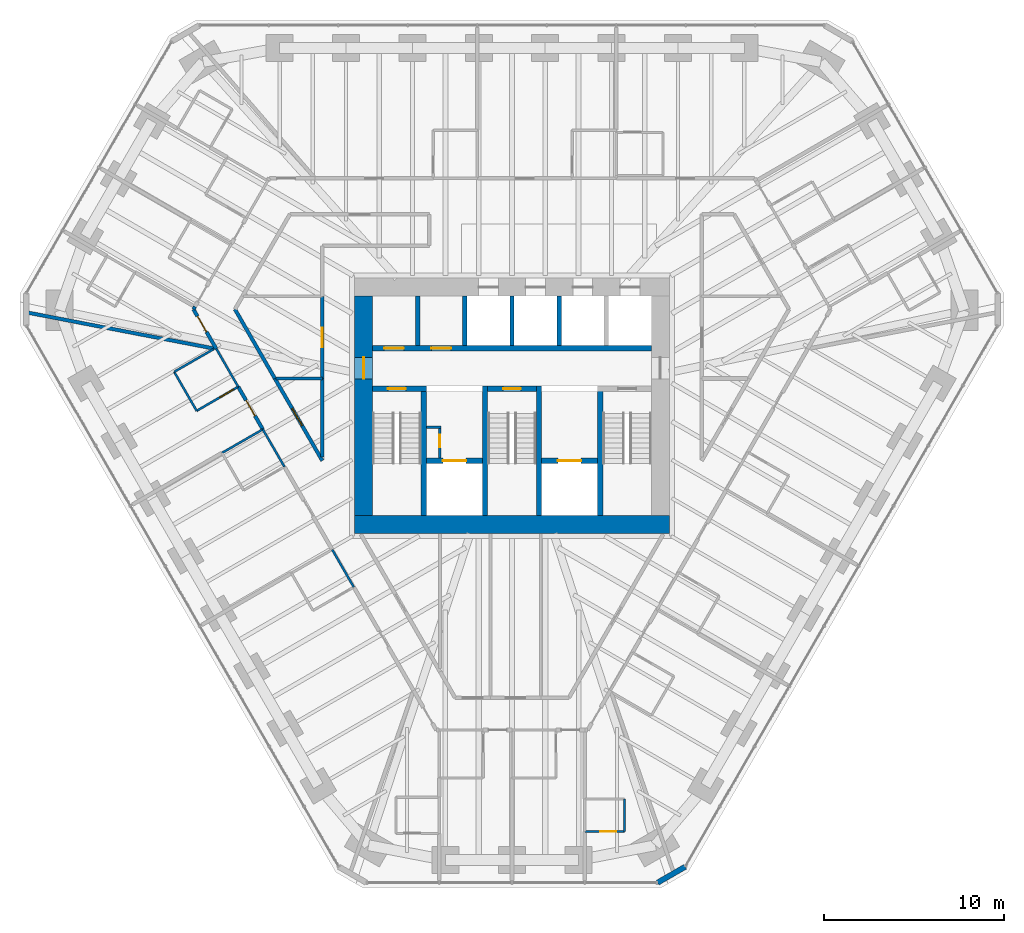
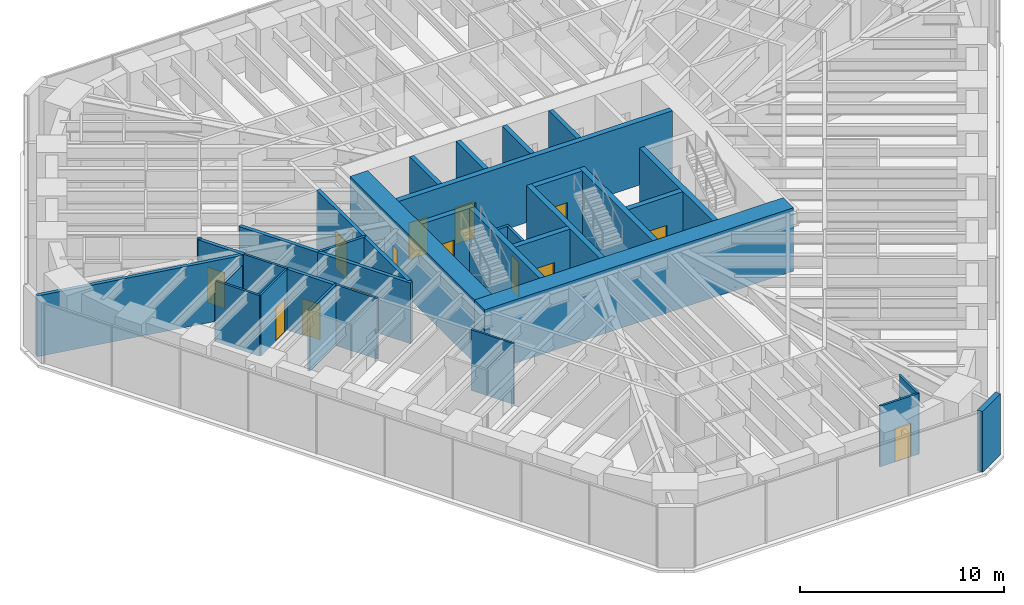
# One storey, part 12 of 17: 36 walls, 14 doors, 14 openings.
"""IFC4 building model written with IfcOpenShell, lengths in metres."""

from ifc_helpers import new_model, si_unit, direction, frame, frame_2d, origin, place, context, subcontext, project, spatial, rectangle, extrude, material, layer, layer_set, type_object, element, fill, save


model = new_model("IFC4")

# Units and contexts
model_context = context("Model", 3, precision=1e-05, world=origin(), true_north=direction((0.0, 1.0)))
body_context = subcontext(model_context, "Body", "Model", "MODEL_VIEW")
ifc_project = project(units=[si_unit("LENGTHUNIT", "METRE"), si_unit("AREAUNIT", "SQUARE_METRE"), si_unit("VOLUMEUNIT", "CUBIC_METRE"), si_unit("PLANEANGLEUNIT", "RADIAN"), si_unit("MASSUNIT", "GRAM", prefix="KILO")], contexts=[model_context])

# Site, building, storey
site_placement = place(None, origin())
site = spatial("IfcSite", under=ifc_project, at=site_placement, CompositionType="ELEMENT")
building_placement = place(site_placement, origin())
building = spatial("IfcBuilding", under=site, at=building_placement, Name="Sandreach Pilgrim Tower", CompositionType="ELEMENT")
storey_placement = place(building_placement, frame((0.0, 0.0, 198.39990234375)))
storey = spatial("IfcBuildingStorey", under=building, at=storey_placement, Name="L49", CompositionType="ELEMENT", Elevation=198.39990234375)

# Walls
ifc_material_1 = material(Name="Gypsum board on steel studs", Category="steel")
ifc_layer_1 = layer(ifc_material_1, 0.14990234375)
ifc_layer_set_1 = layer_set([ifc_layer_1], Name="Back of house wall 150")
wall_type_1 = type_object("IfcWallType", Name="Back of house wall 150", PredefinedType="PARTITIONING", material=ifc_layer_set_1)
wall_1_placement = place(storey_placement, frame((-10.550048828125, 1.52001953125, 0.0), z_axis=(0.0, 0.0, 1.0), x_axis=(-1.0, 0.0, 0.0)))
element("IfcWall", 1, at=wall_1_placement, inside=storey, type_object=wall_type_1, Name="Back of house wall L49-051", PredefinedType="PARTITIONING", context=body_context, shape_type="SweptSolid", body=[
    extrude(rectangle(XDim=2.5849609375, YDim=0.14990234375, at=frame_2d((1.29248046875, 0.0))), origin(), (0.0, 0.0, 1.0), 3.64013671875),
])
ifc_material_2 = material(Name="Moisture-resistant gypsum board on steel studs", Category="steel")
ifc_layer_2 = layer(ifc_material_2, 0.1201171875)
ifc_layer_set_2 = layer_set([ifc_layer_2], Name="Bathroom partition 120")
wall_type_2 = type_object("IfcWallType", Name="Bathroom partition 120", PredefinedType="PARTITIONING", material=ifc_layer_set_2)
wall_2_placement = place(storey_placement, frame((-18.7900390625, 1.889892578125, 0.0), z_axis=(0.0, 0.0, 1.0), x_axis=(0.499159685399, -0.866510016372, 0.0)))
element("IfcWall", 2, at=wall_2_placement, inside=storey, type_object=wall_type_2, Name="Bathroom partition L49-012", PredefinedType="PARTITIONING", context=body_context, shape_type="SweptSolid", body=[
    extrude(rectangle(XDim=2.504150390625, YDim=0.1201171875, at=frame_2d((1.251953125, 0.0))), origin(), (0.0, 0.0, 1.0), 3.64013671875),
])

# Wall, opening, door
wall_3_placement = place(storey_placement, frame((-17.5400390625, -0.280029296875, 0.0), z_axis=(0.0, 0.0, 1.0), x_axis=(0.86498992408, 0.501789229896, 0.0)))
wall_3 = element("IfcWall", 3, at=wall_3_placement, inside=storey, type_object=wall_type_2, Name="Bathroom partition L49-019", PredefinedType="PARTITIONING", context=body_context, shape_type="SweptSolid", body=[
    extrude(rectangle(XDim=2.670654296875, YDim=0.1201171875, at=frame_2d((1.33544921875, 0.0))), origin(), (0.0, 0.0, 1.0), 3.64013671875),
])
opening_1_placement = place(wall_3_placement, frame((1.470458984375, 0.0, 0.0)))
opening_1 = element("IfcOpeningElement", 4, at=opening_1_placement, cuts=wall_3, Name="Opening D09-16B", PredefinedType="OPENING", context=body_context, shape_type="SweptSolid", body=[
    extrude(rectangle(XDim=0.89990234375, YDim=2.030029296875, at=frame_2d((0.449951171875, 1.01513671875))), frame((0.0, 0.06005859375, 0.0), z_axis=(0.0, -1.0, 0.0), x_axis=(1.0, 0.0, 0.0)), (0.0, 0.0, 1.0), 0.1201171875),
])
ifc_material_3 = material(Name="Timber door, steel frame", Category="steel")
door_type_1 = type_object("IfcDoorType", Name="Bathroom door", OperationType="SINGLE_SWING_LEFT", PredefinedType="DOOR", material=ifc_material_3)
door_1_placement = place(opening_1_placement, origin())
door_1 = element("IfcDoor", 5, at=door_1_placement, inside=storey, type_object=door_type_1, Name="Door 4916B", OperationType="SINGLE_SWING_RIGHT", OverallHeight=2.030029296875, OverallWidth=0.89990234375, PredefinedType="DOOR", context=body_context, shape_type="SweptSolid", body=[
    extrude(rectangle(XDim=0.89990234375, YDim=2.030029296875, at=frame_2d((0.449951171875, 1.01513671875))), frame((0.0, 0.02490234375, 0.0), z_axis=(0.0, -1.0, 0.0), x_axis=(1.0, 0.0, 0.0)), (0.0, 0.0, 1.0), 0.050048828125),
])
fill(opening_1, door_1)

# Walls
wall_4_placement = place(storey_placement, frame((-16.623779296875, 3.1376953125, 0.0), z_axis=(0.0, 0.0, 1.0), x_axis=(-0.866525185869, -0.499133351175, 0.0)))
element("IfcWall", 6, at=wall_4_placement, inside=storey, type_object=wall_type_2, Name="Bathroom partition L49-026", PredefinedType="PARTITIONING", context=body_context, shape_type="SweptSolid", body=[
    extrude(rectangle(XDim=2.5, YDim=0.1201171875, at=frame_2d((1.25, 0.0))), origin(), (0.0, 0.0, 1.0), 3.0380859375),
])
wall_5_placement = place(storey_placement, frame((-16.44677734375, 3.171875, 0.0), z_axis=(0.0, 0.0, 1.0), x_axis=(0.499242543719, -0.86646227993, 0.0)))
element("IfcWall", 7, at=wall_5_placement, inside=storey, type_object=wall_type_2, Name="Bathroom partition L49-027", PredefinedType="PARTITIONING", context=body_context, shape_type="SweptSolid", body=[
    extrude(rectangle(XDim=2.437255859375, YDim=0.1201171875, at=frame_2d((1.21875, 0.0))), origin(), (0.0, 0.0, 1.0), 3.64013671875),
])
wall_6_placement = place(storey_placement, frame((-16.1298828125, -2.6201171875, 0.0), z_axis=(0.0, 0.0, 1.0), x_axis=(0.866114241029, 0.499846097802, 0.0)))
element("IfcWall", 8, at=wall_6_placement, inside=storey, type_object=wall_type_2, Name="Bathroom partition L49-029", PredefinedType="PARTITIONING", context=body_context, shape_type="SweptSolid", body=[
    extrude(rectangle(XDim=2.620849609375, YDim=0.1201171875, at=frame_2d((1.310546875, 0.0))), origin(), (0.0, 0.0, 1.0), 3.64013671875),
])
for number, where, z_axis, x_axis, name in (
    (9, (-13.860107421875, -1.31005859375, 0.0), (0.0, 0.0, 1.0), (0.499813401482, -0.866133109688, 0.0), "Bathroom partition L49-040"),
    (10, (-10.0, -8.0, 0.0), (0.0, 0.0, 1.0), (0.498862637731, -0.866681065142, 0.0), "Bathroom partition L49-055"),
):
    element("IfcWall", number, at=place(storey_placement, frame(where, z_axis=z_axis, x_axis=x_axis)), inside=storey, type_object=wall_type_2, Name=name, PredefinedType="PARTITIONING", context=body_context, shape_type="SweptSolid", body=[
        extrude(rectangle(XDim=2.4013671875, YDim=0.1201171875, at=frame_2d((1.20068359375, 0.0))), origin(), (0.0, 0.0, 1.0), 3.64013671875),
    ])

# Wall, opening, door
wall_7_placement = place(storey_placement, frame((4.050048828125, -23.679931640625, 0.0), z_axis=(0.0, 0.0, 1.0), x_axis=(1.0, 0.0, 0.0)))
wall_7 = element("IfcWall", 11, at=wall_7_placement, inside=storey, type_object=wall_type_2, Name="Bathroom partition L49-097", PredefinedType="PARTITIONING", context=body_context, shape_type="SweptSolid", body=[
    extrude(rectangle(XDim=2.199951171875, YDim=0.1201171875, at=frame_2d((1.10009765625, 0.0))), origin(), (0.0, 0.0, 1.0), 3.64013671875),
])
opening_2_placement = place(wall_7_placement, frame((0.85009765625, 0.0, 0.0)))
opening_2 = element("IfcOpeningElement", 12, at=opening_2_placement, cuts=wall_7, Name="Opening D09-10B", PredefinedType="OPENING", context=body_context, shape_type="SweptSolid", body=[
    extrude(rectangle(XDim=0.89990234375, YDim=2.030029296875, at=frame_2d((0.449951171875, 1.01513671875))), frame((0.0, 0.06005859375, 0.0), z_axis=(0.0, -1.0, 0.0), x_axis=(1.0, 0.0, 0.0)), (0.0, 0.0, 1.0), 0.1201171875),
])
door_2_placement = place(opening_2_placement, origin())
door_2 = element("IfcDoor", 13, at=door_2_placement, inside=storey, type_object=door_type_1, Name="Door 4910B", OperationType="SINGLE_SWING_RIGHT", OverallHeight=2.030029296875, OverallWidth=0.89990234375, PredefinedType="DOOR", context=body_context, shape_type="SweptSolid", body=[
    extrude(rectangle(XDim=0.89990234375, YDim=2.030029296875, at=frame_2d((0.449951171875, 1.01513671875))), frame((0.0, 0.02490234375, 0.0), z_axis=(0.0, -1.0, 0.0), x_axis=(1.0, 0.0, 0.0)), (0.0, 0.0, 1.0), 0.050048828125),
])
fill(opening_2, door_2)

# Walls
wall_8_placement = place(storey_placement, frame((6.25, -23.679931640625, 0.0), z_axis=(0.0, 0.0, 1.0), x_axis=(0.0, 1.0, 0.0)))
element("IfcWall", 14, at=wall_8_placement, inside=storey, type_object=wall_type_2, Name="Bathroom partition L49-110", PredefinedType="PARTITIONING", context=body_context, shape_type="SweptSolid", body=[
    extrude(rectangle(XDim=1.809814453125, YDim=0.1201171875, at=frame_2d((0.90478515625, 0.0))), origin(), (0.0, 0.0, 1.0), 3.64013671875),
])
ifc_material_4 = material(Name="Concrete 10000 psi", Category="concrete")
ifc_layer_3 = layer(ifc_material_4, 0.300048828125)
ifc_layer_set_3 = layer_set([ifc_layer_3], Name="Core inner wall 300")
wall_type_3 = type_object("IfcWallType", Name="Core inner wall 300", PredefinedType="SHEAR", material=ifc_layer_set_3)
for number, where, z_axis, x_axis, name in (
    (15, (-4.89990234375, -6.10009765625, 0.0), (0.0, 0.0, 1.0), (0.0, 1.0, 0.0), "Core wall I0 L49"),
    (16, (-1.5, -6.10009765625, 0.0), (0.0, 0.0, 1.0), (0.0, 1.0, 0.0), "Core wall I1 L49"),
    (17, (1.5, -6.10009765625, 0.0), (0.0, 0.0, 1.0), (0.0, 1.0, 0.0), "Core wall I2 L49"),
    (18, (4.89990234375, -6.10009765625, 0.0), (0.0, 0.0, 1.0), (0.0, 1.0, 0.0), "Core wall I3 L49"),
):
    element("IfcWall", number, at=place(storey_placement, frame(where, z_axis=z_axis, x_axis=x_axis)), inside=storey, type_object=wall_type_3, Name=name, PredefinedType="SHEAR", context=body_context, shape_type="SweptSolid", body=[
        extrude(rectangle(XDim=7.2001953125, YDim=0.300048828125, at=frame_2d((3.60009765625, 0.0))), origin(), (0.0, 0.0, 1.0), 3.800048828125),
    ])

# Wall, opening, door
wall_9_placement = place(storey_placement, frame((-7.75, 0.949951171875, 0.0), z_axis=(0.0, 0.0, 1.0), x_axis=(1.0, 0.0, 0.0)))
wall_9 = element("IfcWall", 19, at=wall_9_placement, inside=storey, type_object=wall_type_3, Name="Core wall SN1 L49", PredefinedType="SHEAR", context=body_context, shape_type="SweptSolid", body=[
    extrude(rectangle(XDim=3.0, YDim=0.300048828125, at=frame_2d((1.5, 0.0))), origin(), (0.0, 0.0, 1.0), 3.800048828125),
])
opening_3_placement = place(wall_9_placement, frame((0.85009765625, 0.0, 0.0)))
opening_3 = element("IfcOpeningElement", 20, at=opening_3_placement, cuts=wall_9, Name="Opening D10S-ST1", PredefinedType="OPENING", context=body_context, shape_type="SweptSolid", body=[
    extrude(rectangle(XDim=1.0, YDim=2.199951171875, at=frame_2d((0.5, 1.10009765625))), frame((0.0, 0.14990234375, 0.0), z_axis=(0.0, -1.0, 0.0), x_axis=(1.0, 0.0, 0.0)), (0.0, 0.0, 1.0), 0.300048828125),
])
ifc_material_5 = material(Name="Steel door and frame", Category="steel")
door_type_2 = type_object("IfcDoorType", Name="Stair door", OperationType="SINGLE_SWING_LEFT", PredefinedType="DOOR", material=ifc_material_5)
door_3_placement = place(opening_3_placement, origin())
door_3 = element("IfcDoor", 21, at=door_3_placement, inside=storey, type_object=door_type_2, Name="Stair door ST1 L49", OperationType="SINGLE_SWING_LEFT", OverallHeight=2.199951171875, OverallWidth=1.0, PredefinedType="DOOR", context=body_context, shape_type="SweptSolid", body=[
    extrude(rectangle(XDim=1.0, YDim=2.199951171875, at=frame_2d((0.5, 1.10009765625))), frame((0.0, 0.02490234375, 0.0), z_axis=(0.0, -1.0, 0.0), x_axis=(1.0, 0.0, 0.0)), (0.0, 0.0, 1.0), 0.050048828125),
])
fill(opening_3, door_3)

wall_10_placement = place(storey_placement, frame((-1.35009765625, 0.949951171875, 0.0), z_axis=(0.0, 0.0, 1.0), x_axis=(1.0, 0.0, 0.0)))
wall_10 = element("IfcWall", 22, at=wall_10_placement, inside=storey, type_object=wall_type_3, Name="Core wall SN3 L49", PredefinedType="SHEAR", context=body_context, shape_type="SweptSolid", body=[
    extrude(rectangle(XDim=2.7001953125, YDim=0.300048828125, at=frame_2d((1.35009765625, 0.0))), origin(), (0.0, 0.0, 1.0), 3.800048828125),
])
opening_4_placement = place(wall_10_placement, frame((0.85009765625, 0.0, 0.0)))
opening_4 = element("IfcOpeningElement", 23, at=opening_4_placement, cuts=wall_10, Name="Opening D10S-ST3", PredefinedType="OPENING", context=body_context, shape_type="SweptSolid", body=[
    extrude(rectangle(XDim=1.0, YDim=2.199951171875, at=frame_2d((0.5, 1.10009765625))), frame((0.0, 0.14990234375, 0.0), z_axis=(0.0, -1.0, 0.0), x_axis=(1.0, 0.0, 0.0)), (0.0, 0.0, 1.0), 0.300048828125),
])
door_4_placement = place(opening_4_placement, origin())
door_4 = element("IfcDoor", 24, at=door_4_placement, inside=storey, type_object=door_type_2, Name="Stair door ST3 L49", OperationType="SINGLE_SWING_LEFT", OverallHeight=2.199951171875, OverallWidth=1.0, PredefinedType="DOOR", context=body_context, shape_type="SweptSolid", body=[
    extrude(rectangle(XDim=1.0, YDim=2.199951171875, at=frame_2d((0.5, 1.10009765625))), frame((0.0, 0.02490234375, 0.0), z_axis=(0.0, -1.0, 0.0), x_axis=(1.0, 0.0, 0.0)), (0.0, 0.0, 1.0), 0.050048828125),
])
fill(opening_4, door_4)

wall_11_placement = place(storey_placement, frame((-4.75, -3.050048828125, 0.0), z_axis=(0.0, 0.0, 1.0), x_axis=(1.0, 0.0, 0.0)))
wall_11 = element("IfcWall", 25, at=wall_11_placement, inside=storey, type_object=wall_type_3, Name="Core wall FL1 L49", PredefinedType="SHEAR", context=body_context, shape_type="SweptSolid", body=[
    extrude(rectangle(XDim=3.10009765625, YDim=0.300048828125, at=frame_2d((1.550048828125, 0.0))), origin(), (0.0, 0.0, 1.0), 3.800048828125),
])
opening_5_placement = place(wall_11_placement, frame((0.89990234375, 0.0, 0.0)))
opening_5 = element("IfcOpeningElement", 26, at=opening_5_placement, cuts=wall_11, Name="Opening LD13", PredefinedType="OPENING", context=body_context, shape_type="SweptSolid", body=[
    extrude(rectangle(XDim=1.300048828125, YDim=2.10009765625, at=frame_2d((0.64990234375, 1.050048828125))), frame((0.0, 0.14990234375, 0.0), z_axis=(0.0, -1.0, 0.0), x_axis=(1.0, 0.0, 0.0)), (0.0, 0.0, 1.0), 0.300048828125),
])
ifc_material_6 = material(Name="Steel door and frame", Category="steel")
door_type_3 = type_object("IfcDoorType", Name="Fire service lift landing door", OperationType="DOUBLE_DOOR_SLIDING", PredefinedType="DOOR", material=ifc_material_6)
door_5_placement = place(opening_5_placement, origin())
door_5 = element("IfcDoor", 27, at=door_5_placement, inside=storey, type_object=door_type_3, Name="Lift landing door FS1 L49", OperationType="DOUBLE_DOOR_SLIDING", OverallHeight=2.10009765625, OverallWidth=1.300048828125, PredefinedType="DOOR", context=body_context, shape_type="SweptSolid", body=[
    extrude(rectangle(XDim=1.300048828125, YDim=2.10009765625, at=frame_2d((0.64990234375, 1.050048828125))), frame((0.0, 0.02490234375, 0.0), z_axis=(0.0, -1.0, 0.0), x_axis=(1.0, 0.0, 0.0)), (0.0, 0.0, 1.0), 0.050048828125),
])
fill(opening_5, door_5)

wall_12_placement = place(storey_placement, frame((1.64990234375, -3.050048828125, 0.0), z_axis=(0.0, 0.0, 1.0), x_axis=(1.0, 0.0, 0.0)))
wall_12 = element("IfcWall", 28, at=wall_12_placement, inside=storey, type_object=wall_type_3, Name="Core wall FL2 L49", PredefinedType="SHEAR", context=body_context, shape_type="SweptSolid", body=[
    extrude(rectangle(XDim=3.10009765625, YDim=0.300048828125, at=frame_2d((1.550048828125, 0.0))), origin(), (0.0, 0.0, 1.0), 3.800048828125),
])
opening_6_placement = place(wall_12_placement, frame((0.89990234375, 0.0, 0.0)))
opening_6 = element("IfcOpeningElement", 29, at=opening_6_placement, cuts=wall_12, Name="Opening LD13", PredefinedType="OPENING", context=body_context, shape_type="SweptSolid", body=[
    extrude(rectangle(XDim=1.300048828125, YDim=2.10009765625, at=frame_2d((0.64990234375, 1.050048828125))), frame((0.0, 0.14990234375, 0.0), z_axis=(0.0, -1.0, 0.0), x_axis=(1.0, 0.0, 0.0)), (0.0, 0.0, 1.0), 0.300048828125),
])
door_6_placement = place(opening_6_placement, origin())
door_6 = element("IfcDoor", 30, at=door_6_placement, inside=storey, type_object=door_type_3, Name="Lift landing door FS2 L49", OperationType="DOUBLE_DOOR_SLIDING", OverallHeight=2.10009765625, OverallWidth=1.300048828125, PredefinedType="DOOR", context=body_context, shape_type="SweptSolid", body=[
    extrude(rectangle(XDim=1.300048828125, YDim=2.10009765625, at=frame_2d((0.64990234375, 1.050048828125))), frame((0.0, 0.02490234375, 0.0), z_axis=(0.0, -1.0, 0.0), x_axis=(1.0, 0.0, 0.0)), (0.0, 0.0, 1.0), 0.050048828125),
])
fill(opening_6, door_6)

# Wall, openings, doors
wall_13_placement = place(storey_placement, frame((-7.75, 3.199951171875, 0.0), z_axis=(0.0, 0.0, 1.0), x_axis=(1.0, 0.0, 0.0)))
wall_13 = element("IfcWall", 31, at=wall_13_placement, inside=storey, type_object=wall_type_3, Name="Core wall PN L49", PredefinedType="SHEAR", context=body_context, shape_type="SweptSolid", body=[
    extrude(rectangle(XDim=15.5, YDim=0.300048828125, at=frame_2d((7.75, 0.0))), origin(), (0.0, 0.0, 1.0), 3.800048828125),
])
opening_7_placement = place(wall_13_placement, frame((0.637451171875, 0.0, 0.0)))
opening_7 = element("IfcOpeningElement", 32, at=opening_7_placement, cuts=wall_13, Name="Opening D11L", PredefinedType="OPENING", context=body_context, shape_type="SweptSolid", body=[
    extrude(rectangle(XDim=1.10009765625, YDim=2.199951171875, at=frame_2d((0.550048828125, 1.10009765625))), frame((0.0, 0.14990234375, 0.0), z_axis=(0.0, -1.0, 0.0), x_axis=(1.0, 0.0, 0.0)), (0.0, 0.0, 1.0), 0.300048828125),
])
opening_8_placement = place(wall_13_placement, frame((3.262451171875, 0.0, 0.0)))
opening_8 = element("IfcOpeningElement", 33, at=opening_8_placement, cuts=wall_13, Name="Opening D11L", PredefinedType="OPENING", context=body_context, shape_type="SweptSolid", body=[
    extrude(rectangle(XDim=1.10009765625, YDim=2.199951171875, at=frame_2d((0.550048828125, 1.10009765625))), frame((0.0, 0.14990234375, 0.0), z_axis=(0.0, -1.0, 0.0), x_axis=(1.0, 0.0, 0.0)), (0.0, 0.0, 1.0), 0.300048828125),
])
ifc_material_7 = material(Name="Steel door and frame, smoke seals", Category="steel")
door_type_4 = type_object("IfcDoorType", Name="Core room door", OperationType="SINGLE_SWING_LEFT", PredefinedType="DOOR", material=ifc_material_7)
door_7_placement = place(opening_7_placement, origin())
door_7 = element("IfcDoor", 34, at=door_7_placement, inside=storey, type_object=door_type_4, Name="Door guest pantry 49K1", OperationType="SINGLE_SWING_LEFT", OverallHeight=2.199951171875, OverallWidth=1.10009765625, PredefinedType="DOOR", context=body_context, shape_type="SweptSolid", body=[
    extrude(rectangle(XDim=1.10009765625, YDim=2.199951171875, at=frame_2d((0.550048828125, 1.10009765625))), frame((0.0, 0.02490234375, 0.0), z_axis=(0.0, -1.0, 0.0), x_axis=(1.0, 0.0, 0.0)), (0.0, 0.0, 1.0), 0.050048828125),
])
fill(opening_7, door_7)
door_8_placement = place(opening_8_placement, origin())
door_8 = element("IfcDoor", 35, at=door_8_placement, inside=storey, type_object=door_type_4, Name="Door it room 49K2", OperationType="SINGLE_SWING_LEFT", OverallHeight=2.199951171875, OverallWidth=1.10009765625, PredefinedType="DOOR", context=body_context, shape_type="SweptSolid", body=[
    extrude(rectangle(XDim=1.10009765625, YDim=2.199951171875, at=frame_2d((0.550048828125, 1.10009765625))), frame((0.0, 0.02490234375, 0.0), z_axis=(0.0, -1.0, 0.0), x_axis=(1.0, 0.0, 0.0)), (0.0, 0.0, 1.0), 0.050048828125),
])
fill(opening_8, door_8)

# Wall
ifc_material_8 = material(Name="Concrete 10000 psi", Category="concrete")
ifc_layer_4 = layer(ifc_material_8, 1.0)
ifc_layer_set_4 = layer_set([ifc_layer_4], Name="Core wall 1000")
wall_type_4 = type_object("IfcWallType", Name="Core wall 1000", PredefinedType="SHEAR", material=ifc_layer_set_4)
wall_14_placement = place(storey_placement, frame((-8.75, -6.60009765625, 0.0), z_axis=(0.0, 0.0, 1.0), x_axis=(1.0, 0.0, 0.0)))
element("IfcWall", 36, at=wall_14_placement, inside=storey, type_object=wall_type_4, Name="Core wall S L49", PredefinedType="SHEAR", context=body_context, shape_type="SweptSolid", body=[
    extrude(rectangle(XDim=17.5, YDim=1.0, at=frame_2d((8.75, 0.0))), origin(), (0.0, 0.0, 1.0), 3.800048828125),
])

# Wall, opening, door
wall_15_placement = place(storey_placement, frame((-8.25, -6.10009765625, 0.0), z_axis=(0.0, 0.0, 1.0), x_axis=(0.0, 1.0, 0.0)))
wall_15 = element("IfcWall", 37, at=wall_15_placement, inside=storey, type_object=wall_type_4, Name="Core wall W L49", PredefinedType="SHEAR", context=body_context, shape_type="SweptSolid", body=[
    extrude(rectangle(XDim=12.2001953125, YDim=1.0, at=frame_2d((6.10009765625, 0.0))), origin(), (0.0, 0.0, 1.0), 3.800048828125),
])
opening_9_placement = place(wall_15_placement, frame((7.60009765625, 0.0, 0.0)))
opening_9 = element("IfcOpeningElement", 38, at=opening_9_placement, cuts=wall_15, Name="Opening D12F-W", PredefinedType="OPENING", context=body_context, shape_type="SweptSolid", body=[
    extrude(rectangle(XDim=1.199951171875, YDim=2.199951171875, at=frame_2d((0.60009765625, 1.10009765625))), frame((0.0, 0.5, 0.0), z_axis=(0.0, -1.0, 0.0), x_axis=(1.0, 0.0, 0.0)), (0.0, 0.0, 1.0), 1.0),
])
ifc_material_9 = material(Name="Steel door and frame", Category="steel")
door_type_5 = type_object("IfcDoorType", Name="Fire lobby door", OperationType="SINGLE_SWING_LEFT", PredefinedType="DOOR", material=ifc_material_9)
door_9_placement = place(opening_9_placement, origin())
door_9 = element("IfcDoor", 39, at=door_9_placement, inside=storey, type_object=door_type_5, Name="Fire service lobby door W L49", OperationType="SINGLE_SWING_RIGHT", OverallHeight=2.199951171875, OverallWidth=1.199951171875, PredefinedType="DOOR", context=body_context, shape_type="SweptSolid", body=[
    extrude(rectangle(XDim=1.199951171875, YDim=2.199951171875, at=frame_2d((0.60009765625, 1.10009765625))), frame((0.0, 0.02490234375, 0.0), z_axis=(0.0, -1.0, 0.0), x_axis=(1.0, 0.0, 0.0)), (0.0, 0.0, 1.0), 0.050048828125),
])
fill(opening_9, door_9)

ifc_material_10 = material(Name="Gypsum board on steel studs, two layers each side", Category="steel")
ifc_layer_5 = layer(ifc_material_10, 0.199951171875)
ifc_layer_set_5 = layer_set([ifc_layer_5], Name="Corridor wall 200")
wall_type_5 = type_object("IfcWallType", Name="Corridor wall 200", PredefinedType="PARTITIONING", material=ifc_layer_set_5)
wall_16_placement = place(storey_placement, frame((-17.719970703125, 5.3701171875, 0.0), z_axis=(0.0, 0.0, 1.0), x_axis=(0.499922110319, -0.866070368743, 0.0)))
wall_16 = element("IfcWall", 40, at=wall_16_placement, inside=storey, type_object=wall_type_5, Name="Corridor wall L49-016", PredefinedType="PARTITIONING", context=body_context, shape_type="SweptSolid", body=[
    extrude(rectangle(XDim=2.54052734375, YDim=0.199951171875, at=frame_2d((1.270263671875, 0.0))), origin(), (0.0, 0.0, 1.0), 3.64013671875),
])
opening_10_placement = place(wall_16_placement, frame((0.449951171875, 0.0, 0.0)))
opening_10 = element("IfcOpeningElement", 41, at=opening_10_placement, cuts=wall_16, Name="Opening D10-17", PredefinedType="OPENING", context=body_context, shape_type="SweptSolid", body=[
    extrude(rectangle(XDim=1.0, YDim=2.1298828125, at=frame_2d((0.5, 1.06494140625))), frame((0.0, 0.10009765625, 0.0), z_axis=(0.0, -1.0, 0.0), x_axis=(1.0, 0.0, 0.0)), (0.0, 0.0, 1.0), 0.199951171875),
])
ifc_material_11 = material(Name="Steel door and frame", Category="steel")
door_type_6 = type_object("IfcDoorType", Name="Guest room entry door", OperationType="SINGLE_SWING_LEFT", PredefinedType="DOOR", material=ifc_material_11)
door_10_placement = place(opening_10_placement, origin())
door_10 = element("IfcDoor", 42, at=door_10_placement, inside=storey, type_object=door_type_6, Name="Door 4917", OperationType="SINGLE_SWING_LEFT", OverallHeight=2.1298828125, OverallWidth=1.0, PredefinedType="DOOR", context=body_context, shape_type="SweptSolid", body=[
    extrude(rectangle(XDim=1.0, YDim=2.1298828125, at=frame_2d((0.5, 1.06494140625))), frame((0.0, 0.02490234375, 0.0), z_axis=(0.0, -1.0, 0.0), x_axis=(1.0, 0.0, 0.0)), (0.0, 0.0, 1.0), 0.050048828125),
])
fill(opening_10, door_10)

# Wall
wall_17_placement = place(storey_placement, frame((-17.6298828125, 5.510009765625, 0.0), z_axis=(0.0, 0.0, 1.0), x_axis=(-0.541424846284, -0.840749151547, 0.0)))
element("IfcWall", 43, at=wall_17_placement, inside=storey, type_object=wall_type_5, Name="Corridor wall L49-018", PredefinedType="PARTITIONING", context=body_context, shape_type="SweptSolid", body=[
    extrude(rectangle(XDim=0.16650390625, YDim=0.199951171875, at=frame_2d((0.083251953125, 0.0))), origin(), (0.0, 0.0, 1.0), 3.64013671875),
])

# Wall, opening, door
wall_18_placement = place(storey_placement, frame((-15.22998046875, 1.06005859375, 0.0), z_axis=(0.0, 0.0, 1.0), x_axis=(0.500406860043, -0.865790375565, 0.0)))
wall_18 = element("IfcWall", 44, at=wall_18_placement, inside=storey, type_object=wall_type_5, Name="Corridor wall L49-035", PredefinedType="PARTITIONING", context=body_context, shape_type="SweptSolid", body=[
    extrude(rectangle(XDim=2.737548828125, YDim=0.199951171875, at=frame_2d((1.36865234375, 0.0))), origin(), (0.0, 0.0, 1.0), 3.64013671875),
])
opening_11_placement = place(wall_18_placement, frame((0.86865234375, 0.0, 0.0)))
opening_11 = element("IfcOpeningElement", 45, at=opening_11_placement, cuts=wall_18, Name="Opening D10-16", PredefinedType="OPENING", context=body_context, shape_type="SweptSolid", body=[
    extrude(rectangle(XDim=1.0, YDim=2.1298828125, at=frame_2d((0.5, 1.06494140625))), frame((0.0, 0.10009765625, 0.0), z_axis=(0.0, -1.0, 0.0), x_axis=(1.0, 0.0, 0.0)), (0.0, 0.0, 1.0), 0.199951171875),
])
door_11_placement = place(opening_11_placement, origin())
door_11 = element("IfcDoor", 46, at=door_11_placement, inside=storey, type_object=door_type_6, Name="Door 4916", OperationType="SINGLE_SWING_LEFT", OverallHeight=2.1298828125, OverallWidth=1.0, PredefinedType="DOOR", context=body_context, shape_type="SweptSolid", body=[
    extrude(rectangle(XDim=1.0, YDim=2.1298828125, at=frame_2d((0.5, 1.06494140625))), frame((0.0, 0.02490234375, 0.0), z_axis=(0.0, -1.0, 0.0), x_axis=(1.0, 0.0, 0.0)), (0.0, 0.0, 1.0), 0.050048828125),
])
fill(opening_11, door_11)

# Wall
wall_19_placement = place(storey_placement, frame((-13.18994140625, 1.52001953125, 0.0), z_axis=(0.0, 0.0, 1.0), x_axis=(-0.499513190454, 0.866306281036, 0.0)))
element("IfcWall", 47, at=wall_19_placement, inside=storey, type_object=wall_type_5, Name="Corridor wall L49-042", PredefinedType="PARTITIONING", context=body_context, shape_type="SweptSolid", body=[
    extrude(rectangle(XDim=4.4443359375, YDim=0.199951171875, at=frame_2d((2.22216796875, 0.0))), origin(), (0.0, 0.0, 1.0), 3.64013671875),
])

# Wall, opening, door
wall_20_placement = place(storey_placement, frame((-10.550048828125, -3.050048828125, 0.0), z_axis=(0.0, 0.0, 1.0), x_axis=(-0.500193590286, 0.865913605527, 0.0)))
wall_20 = element("IfcWall", 48, at=wall_20_placement, inside=storey, type_object=wall_type_5, Name="Corridor wall L49-050", PredefinedType="PARTITIONING", context=body_context, shape_type="SweptSolid", body=[
    extrude(rectangle(XDim=5.27783203125, YDim=0.199951171875, at=frame_2d((2.638916015625, 0.0))), origin(), (0.0, 0.0, 1.0), 3.64013671875),
])
opening_12_placement = place(wall_20_placement, frame((2.25, 0.0, 0.0)))
opening_12 = element("IfcOpeningElement", 49, at=opening_12_placement, cuts=wall_20, Name="Opening D11H-M02", PredefinedType="OPENING", context=body_context, shape_type="SweptSolid", body=[
    extrude(rectangle(XDim=1.10009765625, YDim=2.199951171875, at=frame_2d((0.550048828125, 1.10009765625))), frame((0.0, 0.10009765625, 0.0), z_axis=(0.0, -1.0, 0.0), x_axis=(1.0, 0.0, 0.0)), (0.0, 0.0, 1.0), 0.199951171875),
])
ifc_material_12 = material(Name="Steel door and frame", Category="steel")
door_type_7 = type_object("IfcDoorType", Name="Back of house door", OperationType="SINGLE_SWING_LEFT", PredefinedType="DOOR", material=ifc_material_12)
door_12_placement = place(opening_12_placement, origin())
door_12 = element("IfcDoor", 50, at=door_12_placement, inside=storey, type_object=door_type_7, Name="Door 49M02", OperationType="SINGLE_SWING_RIGHT", OverallHeight=2.199951171875, OverallWidth=1.10009765625, PredefinedType="DOOR", context=body_context, shape_type="SweptSolid", body=[
    extrude(rectangle(XDim=1.10009765625, YDim=2.199951171875, at=frame_2d((0.550048828125, 1.10009765625))), frame((0.0, 0.02490234375, 0.0), z_axis=(0.0, -1.0, 0.0), x_axis=(1.0, 0.0, 0.0)), (0.0, 0.0, 1.0), 0.050048828125),
])
fill(opening_12, door_12)

# Wall
wall_21_placement = place(storey_placement, frame((-10.550048828125, 1.52001953125, 0.0), z_axis=(0.0, 0.0, 1.0), x_axis=(0.0, -1.0, 0.0)))
element("IfcWall", 51, at=wall_21_placement, inside=storey, type_object=wall_type_5, Name="Corridor wall L49-052", PredefinedType="PARTITIONING", context=body_context, shape_type="SweptSolid", body=[
    extrude(rectangle(XDim=4.375, YDim=0.199951171875, at=frame_2d((2.1875, 0.0))), origin(), (0.0, 0.0, 1.0), 3.64013671875),
])

# Wall, opening, door
wall_22_placement = place(storey_placement, frame((-10.550048828125, 6.090087890625, 0.0), z_axis=(0.0, 0.0, 1.0), x_axis=(0.0, -1.0, 0.0)))
wall_22 = element("IfcWall", 52, at=wall_22_placement, inside=storey, type_object=wall_type_5, Name="Corridor wall L49-053", PredefinedType="PARTITIONING", context=body_context, shape_type="SweptSolid", body=[
    extrude(rectangle(XDim=4.570068359375, YDim=0.199951171875, at=frame_2d((2.28515625, 0.0))), origin(), (0.0, 0.0, 1.0), 3.64013671875),
])
opening_13_placement = place(wall_22_placement, frame((1.735107421875, 0.0, 0.0)))
opening_13 = element("IfcOpeningElement", 53, at=opening_13_placement, cuts=wall_22, Name="Opening D11H-M01", PredefinedType="OPENING", context=body_context, shape_type="SweptSolid", body=[
    extrude(rectangle(XDim=1.10009765625, YDim=2.199951171875, at=frame_2d((0.550048828125, 1.10009765625))), frame((0.0, 0.10009765625, 0.0), z_axis=(0.0, -1.0, 0.0), x_axis=(1.0, 0.0, 0.0)), (0.0, 0.0, 1.0), 0.199951171875),
])
door_13_placement = place(opening_13_placement, origin())
door_13 = element("IfcDoor", 54, at=door_13_placement, inside=storey, type_object=door_type_7, Name="Door 49M01", OperationType="SINGLE_SWING_LEFT", OverallHeight=2.199951171875, OverallWidth=1.10009765625, PredefinedType="DOOR", context=body_context, shape_type="SweptSolid", body=[
    extrude(rectangle(XDim=1.10009765625, YDim=2.199951171875, at=frame_2d((0.550048828125, 1.10009765625))), frame((0.0, 0.02490234375, 0.0), z_axis=(0.0, -1.0, 0.0), x_axis=(1.0, 0.0, 0.0)), (0.0, 0.0, 1.0), 0.050048828125),
])
fill(opening_13, door_13)

# Wall
ifc_material_13 = material(Name="Double steel stud acoustic wall, gypsum board", Category="steel")
ifc_layer_6 = layer(ifc_material_13, 0.199951171875)
ifc_layer_set_6 = layer_set([ifc_layer_6], Name="Party wall 200")
wall_type_6 = type_object("IfcWallType", Name="Party wall 200", PredefinedType="PARTITIONING", material=ifc_layer_set_6)
wall_23_placement = place(storey_placement, frame((-27.04052734375, 5.204345703125, 0.0), z_axis=(0.0, 0.0, 1.0), x_axis=(0.981884490433, -0.18948046719, 0.0)))
element("IfcWall", 55, at=wall_23_placement, inside=storey, type_object=wall_type_6, Name="Party wall L49-001", PredefinedType="PARTITIONING", context=body_context, shape_type="SweptSolid", body=[
    extrude(rectangle(XDim=10.68408203125, YDim=0.199951171875, at=frame_2d((5.342041015625, 0.0))), origin(), (0.0, 0.0, 1.0), 3.64013671875),
])

# Wall, opening, door
ifc_material_14 = material(Name="Gypsum shaft wall on steel studs, shaft liner board", Category="steel")
ifc_layer_7 = layer(ifc_material_14, 0.14990234375)
ifc_layer_set_7 = layer_set([ifc_layer_7], Name="Riser shaft wall 150")
wall_type_7 = type_object("IfcWallType", Name="Riser shaft wall 150", PredefinedType="PARTITIONING", material=ifc_layer_set_7)
wall_24_placement = place(storey_placement, frame((-4.02490234375, -2.89990234375, 0.0), z_axis=(0.0, 0.0, 1.0), x_axis=(0.0, 1.0, 0.0)))
wall_24 = element("IfcWall", 56, at=wall_24_placement, inside=storey, type_object=wall_type_7, Name="Riser partition L49 side", PredefinedType="PARTITIONING", context=body_context, shape_type="SweptSolid", body=[
    extrude(rectangle(XDim=1.77490234375, YDim=0.14990234375, at=frame_2d((0.887451171875, 0.0))), origin(), (0.0, 0.0, 1.0), 3.64013671875),
])
opening_14_placement = place(wall_24_placement, frame((0.60009765625, 0.0, 0.0)))
opening_14 = element("IfcOpeningElement", 57, at=opening_14_placement, cuts=wall_24, Name="Opening D07R", PredefinedType="OPENING", context=body_context, shape_type="SweptSolid", body=[
    extrude(rectangle(XDim=0.699951171875, YDim=2.10009765625, at=frame_2d((0.35009765625, 1.050048828125))), frame((0.0, 0.074951171875, 0.0), z_axis=(0.0, -1.0, 0.0), x_axis=(1.0, 0.0, 0.0)), (0.0, 0.0, 1.0), 0.14990234375),
])
ifc_material_15 = material(Name="Steel door and frame, smoke seals", Category="steel")
door_type_8 = type_object("IfcDoorType", Name="Riser access door", OperationType="SINGLE_SWING_RIGHT", PredefinedType="DOOR", material=ifc_material_15)
door_14_placement = place(opening_14_placement, origin())
door_14 = element("IfcDoor", 58, at=door_14_placement, inside=storey, type_object=door_type_8, Name="Door riser 49ER", OperationType="SINGLE_SWING_RIGHT", OverallHeight=2.10009765625, OverallWidth=0.699951171875, PredefinedType="DOOR", context=body_context, shape_type="SweptSolid", body=[
    extrude(rectangle(XDim=0.699951171875, YDim=2.10009765625, at=frame_2d((0.35009765625, 1.050048828125))), frame((0.0, 0.02490234375, 0.0), z_axis=(0.0, -1.0, 0.0), x_axis=(1.0, 0.0, 0.0)), (0.0, 0.0, 1.0), 0.050048828125),
])
fill(opening_14, door_14)

# Walls
wall_25_placement = place(storey_placement, frame((-4.75, -1.199951171875, 0.0), z_axis=(0.0, 0.0, 1.0), x_axis=(1.0, 0.0, 0.0)))
element("IfcWall", 59, at=wall_25_placement, inside=storey, type_object=wall_type_7, Name="Riser partition L49 front", PredefinedType="PARTITIONING", context=body_context, shape_type="SweptSolid", body=[
    extrude(rectangle(XDim=0.800048828125, YDim=0.14990234375, at=frame_2d((0.39990234375, 0.0))), origin(), (0.0, 0.0, 1.0), 3.64013671875),
])
ifc_material_16 = material(Name="Gypsum shaft wall on steel studs, two layers of shaft liner board", Category="steel")
ifc_layer_8 = layer(ifc_material_16, 0.25)
ifc_layer_set_8 = layer_set([ifc_layer_8], Name="Shaft partition 250")
wall_type_8 = type_object("IfcWallType", Name="Shaft partition 250", PredefinedType="PARTITIONING", material=ifc_layer_set_8)
for number, where, z_axis, x_axis, name in (
    (60, (-5.25, 3.35009765625, 0.0), (0.0, 0.0, 1.0), (0.0, 1.0, 0.0), "Shaft partition NS0 L49"),
    (61, (-2.625, 3.35009765625, 0.0), (0.0, 0.0, 1.0), (0.0, 1.0, 0.0), "Shaft partition NS1 L49"),
    (62, (0.0, 3.35009765625, 0.0), (0.0, 0.0, 1.0), (0.0, 1.0, 0.0), "Shaft partition NS2 L49"),
    (63, (2.625, 3.35009765625, 0.0), (0.0, 0.0, 1.0), (0.0, 1.0, 0.0), "Shaft partition NS3 L49"),
):
    element("IfcWall", number, at=place(storey_placement, frame(where, z_axis=z_axis, x_axis=x_axis)), inside=storey, type_object=wall_type_8, Name=name, PredefinedType="PARTITIONING", context=body_context, shape_type="SweptSolid", body=[
        extrude(rectangle(XDim=2.75, YDim=0.25, at=frame_2d((1.375, 0.0))), origin(), (0.0, 0.0, 1.0), 3.800048828125),
    ])
ifc_material_17 = material(Name="Terracotta rainscreen on concrete", Category="masonry")
ifc_layer_9 = layer(ifc_material_17, 0.300048828125)
ifc_layer_set_9 = layer_set([ifc_layer_9], Name="Terracotta chamfer pier")
wall_type_9 = type_object("IfcWallType", Name="Terracotta chamfer pier", PredefinedType="SOLIDWALL", material=ifc_layer_set_9)
wall_26_placement = place(storey_placement, frame((9.63037109375, -25.64013671875, 0.0), z_axis=(0.0, 0.0, 1.0), x_axis=(-0.866036293601, -0.499981137809, 0.0)))
element("IfcWall", 64, at=wall_26_placement, inside=storey, type_object=wall_type_9, Name="Chamfer pier L49 SE", PredefinedType="SOLIDWALL", context=body_context, shape_type="SweptSolid", body=[
    extrude(rectangle(XDim=1.77001953125, YDim=0.300048828125, at=frame_2d((0.885009765625, 0.0))), origin(), (0.0, 0.0, 1.0), 3.64013671875),
])

save(model, "model.ifc")
